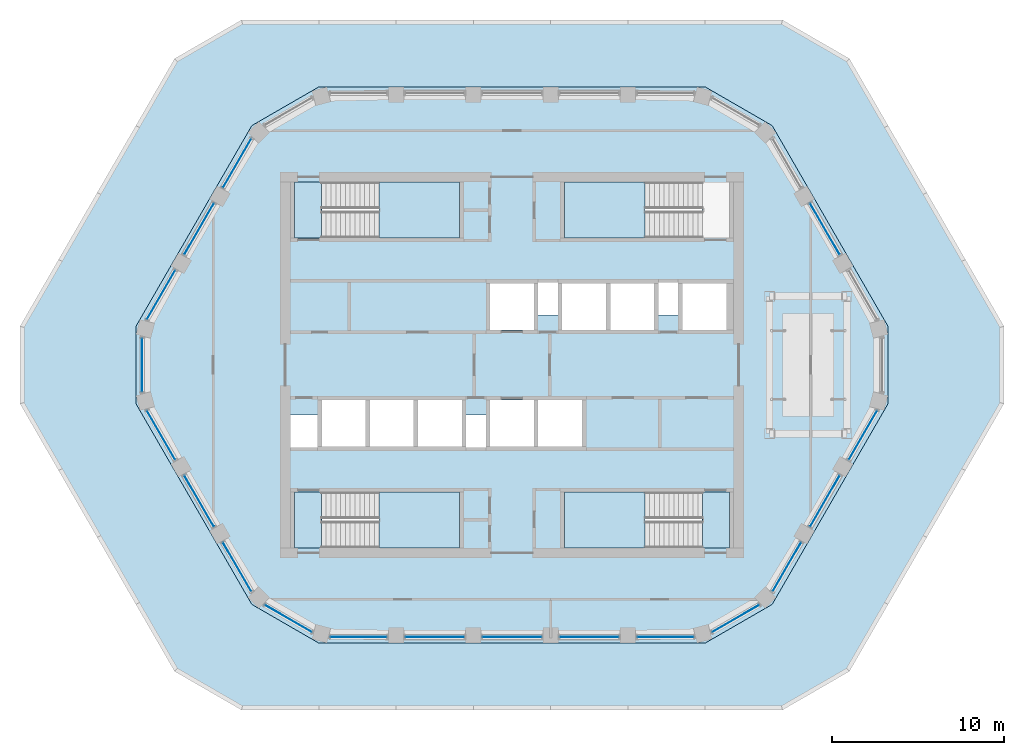
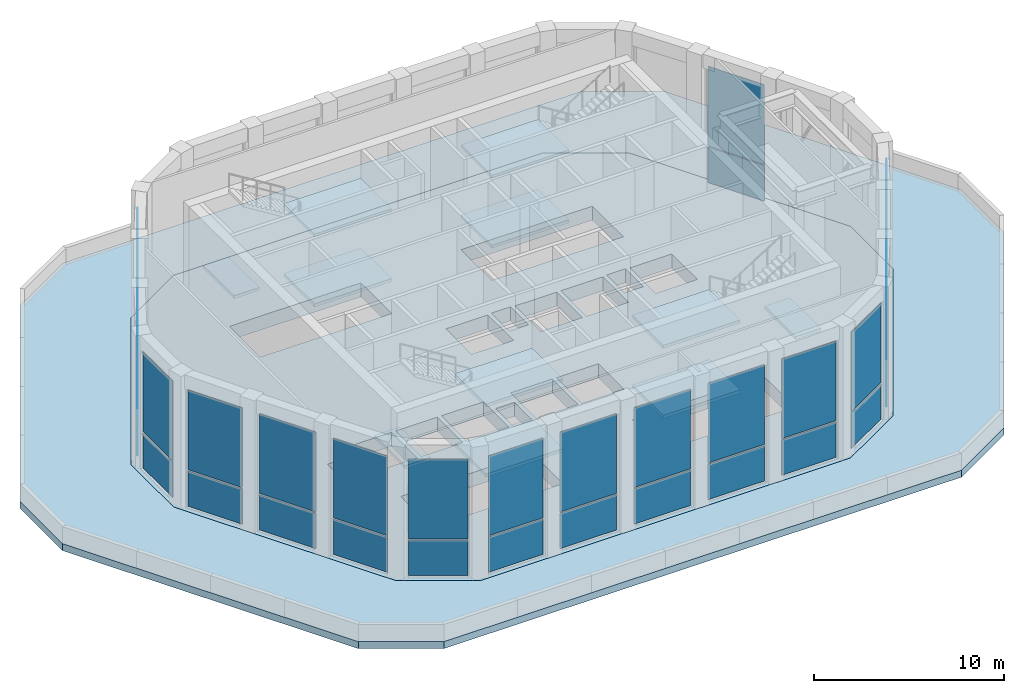
# One storey, part 4 of 11: 36 plates, 13 slabs, 22 elements without a shape of their own.
"""IFC4 building model written with IfcOpenShell, lengths in metres."""

from ifc_helpers import new_model, si_unit, direction, frame, origin, origin_2d, place, context, subcontext, project, spatial, polyline, rectangle, outline, extrude, material, layer, layer_set, type_object, element, aggregate, save


model = new_model("IFC4")

# Units and contexts
model_context = context("Model", 3, precision=1e-05, world=origin(), true_north=direction((0.0, 1.0)))
body_context = subcontext(model_context, "Body", "Model", "MODEL_VIEW")
ifc_project = project(units=[si_unit("LENGTHUNIT", "METRE"), si_unit("AREAUNIT", "SQUARE_METRE"), si_unit("VOLUMEUNIT", "CUBIC_METRE"), si_unit("PLANEANGLEUNIT", "RADIAN"), si_unit("MASSUNIT", "GRAM", prefix="KILO")], contexts=[model_context])

# Site, building, storey
site_placement = place(None, origin())
site = spatial("IfcSite", under=ifc_project, at=site_placement, CompositionType="ELEMENT")
building_placement = place(site_placement, origin())
building = spatial("IfcBuilding", under=site, at=building_placement, Name="Dhurran Vertical Campus", CompositionType="ELEMENT")
storey_placement = place(building_placement, frame((0.0, 0.0, 309.89990234375)))
storey = spatial("IfcBuildingStorey", under=building, at=storey_placement, Name="L77 Damper Plant", CompositionType="ELEMENT", Elevation=309.89990234375)

# Curtain wall, plates
ifc_material_1 = material(Name="Aluminium frame with solar-control glass", Category="aluminium")
ifc_layer_1 = layer(ifc_material_1, 0.300048828125)
ifc_layer_set_1 = layer_set([ifc_layer_1], Name="Aluminium frame with solar-control glass")
curtain_wall_type = type_object("IfcCurtainWallType", Name="Damper floor glazing system", PredefinedType="NOTDEFINED", material=ifc_layer_set_1)
curtain_wall_1_placement = place(storey_placement, origin())
curtain_wall_1 = element("IfcCurtainWall", 1, at=curtain_wall_1_placement, inside=storey, type_object=curtain_wall_type, Name="CW4 L77.00", PredefinedType="NOTDEFINED")
ifc_material_2 = material(Name="Clear solar-control glass", Category="glass")
ifc_layer_2 = layer(ifc_material_2, 0.028076171875)
ifc_layer_set_2 = layer_set([ifc_layer_2], Name="Clear solar-control glass")
plate_type = type_object("IfcPlateType", Name="Damper floor glazing system panel", PredefinedType="CURTAIN_PANEL", material=ifc_layer_set_2)
plate_1_placement = place(storey_placement, frame((-8.92529296875, -15.84130859375, 0.080078125), z_axis=(0.0, 0.0, 1.0), x_axis=(1.0, 0.0, 0.0)))
plate_1 = element("IfcPlate", 2, at=plate_1_placement, type_object=plate_type, Name="CW4 panel 1.1", PredefinedType="CURTAIN_PANEL", context=body_context, shape_type="SweptSolid", body=[
    extrude(rectangle(XDim=3.289306640625, YDim=0.028076171875, at=origin_2d()), origin(), (0.0, 0.0, 1.0), 2.280029296875),
])
plate_2_placement = place(storey_placement, frame((-8.92529296875, -15.84130859375, 2.440185546875), z_axis=(0.0, 0.0, 1.0), x_axis=(1.0, 0.0, 0.0)))
plate_2 = element("IfcPlate", 3, at=plate_2_placement, type_object=plate_type, Name="CW4 panel 1.2", PredefinedType="CURTAIN_PANEL", context=body_context, shape_type="SweptSolid", body=[
    extrude(rectangle(XDim=3.289306640625, YDim=0.028076171875, at=origin_2d()), origin(), (0.0, 0.0, 1.0), 5.1298828125),
])
aggregate(curtain_wall_1, [plate_1, plate_2])

curtain_wall_2_placement = place(storey_placement, origin())
curtain_wall_2 = element("IfcCurtainWall", 4, at=curtain_wall_2_placement, inside=storey, type_object=curtain_wall_type, Name="CW4 L77.01", PredefinedType="NOTDEFINED")
plate_3_placement = place(storey_placement, frame((-4.5, -15.84130859375, 0.080078125), z_axis=(0.0, 0.0, 1.0), x_axis=(1.0, 0.0, 0.0)))
plate_3 = element("IfcPlate", 5, at=plate_3_placement, type_object=plate_type, Name="CW4 panel 1.1", PredefinedType="CURTAIN_PANEL", context=body_context, shape_type="SweptSolid", body=[
    extrude(rectangle(XDim=3.43896484375, YDim=0.028076171875, at=origin_2d()), origin(), (0.0, 0.0, 1.0), 2.280029296875),
])
plate_4_placement = place(storey_placement, frame((-4.5, -15.84130859375, 2.440185546875), z_axis=(0.0, 0.0, 1.0), x_axis=(1.0, 0.0, 0.0)))
plate_4 = element("IfcPlate", 6, at=plate_4_placement, type_object=plate_type, Name="CW4 panel 1.2", PredefinedType="CURTAIN_PANEL", context=body_context, shape_type="SweptSolid", body=[
    extrude(rectangle(XDim=3.43896484375, YDim=0.028076171875, at=origin_2d()), origin(), (0.0, 0.0, 1.0), 5.1298828125),
])
aggregate(curtain_wall_2, [plate_3, plate_4])

curtain_wall_3_placement = place(storey_placement, origin())
curtain_wall_3 = element("IfcCurtainWall", 7, at=curtain_wall_3_placement, inside=storey, type_object=curtain_wall_type, Name="CW4 L77.02", PredefinedType="NOTDEFINED")
plate_5_placement = place(storey_placement, frame((0.0, -15.84130859375, 0.080078125), z_axis=(0.0, 0.0, 1.0), x_axis=(1.0, 0.0, 0.0)))
plate_5 = element("IfcPlate", 8, at=plate_5_placement, type_object=plate_type, Name="CW4 panel 1.1", PredefinedType="CURTAIN_PANEL", context=body_context, shape_type="SweptSolid", body=[
    extrude(rectangle(XDim=3.43896484375, YDim=0.028076171875, at=origin_2d()), origin(), (0.0, 0.0, 1.0), 2.280029296875),
])
plate_6_placement = place(storey_placement, frame((0.0, -15.84130859375, 2.440185546875), z_axis=(0.0, 0.0, 1.0), x_axis=(1.0, 0.0, 0.0)))
plate_6 = element("IfcPlate", 9, at=plate_6_placement, type_object=plate_type, Name="CW4 panel 1.2", PredefinedType="CURTAIN_PANEL", context=body_context, shape_type="SweptSolid", body=[
    extrude(rectangle(XDim=3.43896484375, YDim=0.028076171875, at=origin_2d()), origin(), (0.0, 0.0, 1.0), 5.1298828125),
])
aggregate(curtain_wall_3, [plate_5, plate_6])

curtain_wall_4_placement = place(storey_placement, origin())
curtain_wall_4 = element("IfcCurtainWall", 10, at=curtain_wall_4_placement, inside=storey, type_object=curtain_wall_type, Name="CW4 L77.03", PredefinedType="NOTDEFINED")
plate_7_placement = place(storey_placement, frame((4.5, -15.84130859375, 0.080078125), z_axis=(0.0, 0.0, 1.0), x_axis=(1.0, 0.0, 0.0)))
plate_7 = element("IfcPlate", 11, at=plate_7_placement, type_object=plate_type, Name="CW4 panel 1.1", PredefinedType="CURTAIN_PANEL", context=body_context, shape_type="SweptSolid", body=[
    extrude(rectangle(XDim=3.43896484375, YDim=0.028076171875, at=origin_2d()), origin(), (0.0, 0.0, 1.0), 2.280029296875),
])
plate_8_placement = place(storey_placement, frame((4.5, -15.84130859375, 2.440185546875), z_axis=(0.0, 0.0, 1.0), x_axis=(1.0, 0.0, 0.0)))
plate_8 = element("IfcPlate", 12, at=plate_8_placement, type_object=plate_type, Name="CW4 panel 1.2", PredefinedType="CURTAIN_PANEL", context=body_context, shape_type="SweptSolid", body=[
    extrude(rectangle(XDim=3.43896484375, YDim=0.028076171875, at=origin_2d()), origin(), (0.0, 0.0, 1.0), 5.1298828125),
])
aggregate(curtain_wall_4, [plate_7, plate_8])

curtain_wall_5_placement = place(storey_placement, origin())
curtain_wall_5 = element("IfcCurtainWall", 13, at=curtain_wall_5_placement, inside=storey, type_object=curtain_wall_type, Name="CW4 L77.04", PredefinedType="NOTDEFINED")
plate_9_placement = place(storey_placement, frame((8.92529296875, -15.84130859375, 0.080078125), z_axis=(0.0, 0.0, 1.0), x_axis=(1.0, 0.0, 0.0)))
plate_9 = element("IfcPlate", 14, at=plate_9_placement, type_object=plate_type, Name="CW4 panel 1.1", PredefinedType="CURTAIN_PANEL", context=body_context, shape_type="SweptSolid", body=[
    extrude(rectangle(XDim=3.289306640625, YDim=0.028076171875, at=origin_2d()), origin(), (0.0, 0.0, 1.0), 2.280029296875),
])
plate_10_placement = place(storey_placement, frame((8.92529296875, -15.84130859375, 2.440185546875), z_axis=(0.0, 0.0, 1.0), x_axis=(1.0, 0.0, 0.0)))
plate_10 = element("IfcPlate", 15, at=plate_10_placement, type_object=plate_type, Name="CW4 panel 1.2", PredefinedType="CURTAIN_PANEL", context=body_context, shape_type="SweptSolid", body=[
    extrude(rectangle(XDim=3.289306640625, YDim=0.028076171875, at=origin_2d()), origin(), (0.0, 0.0, 1.0), 5.1298828125),
])
aggregate(curtain_wall_5, [plate_9, plate_10])

curtain_wall_6_placement = place(storey_placement, origin())
curtain_wall_6 = element("IfcCurtainWall", 16, at=curtain_wall_6_placement, inside=storey, type_object=curtain_wall_type, Name="CW4 L77.05", PredefinedType="NOTDEFINED")
plate_11_placement = place(storey_placement, frame((13.0234375, -14.76318359375, 0.080078125), z_axis=(0.0, 0.0, 1.0), x_axis=(0.866024598628, 0.500001394569, 0.0)))
plate_11 = element("IfcPlate", 17, at=plate_11_placement, type_object=plate_type, Name="CW4 panel 1.1", PredefinedType="CURTAIN_PANEL", context=body_context, shape_type="SweptSolid", body=[
    extrude(rectangle(XDim=3.139892578125, YDim=0.028076171875, at=origin_2d()), origin(), (0.0, 0.0, 1.0), 2.280029296875),
])
plate_12_placement = place(storey_placement, frame((13.0234375, -14.76318359375, 2.440185546875), z_axis=(0.0, 0.0, 1.0), x_axis=(0.866024598628, 0.500001394569, 0.0)))
plate_12 = element("IfcPlate", 18, at=plate_12_placement, type_object=plate_type, Name="CW4 panel 1.2", PredefinedType="CURTAIN_PANEL", context=body_context, shape_type="SweptSolid", body=[
    extrude(rectangle(XDim=3.139892578125, YDim=0.028076171875, at=origin_2d()), origin(), (0.0, 0.0, 1.0), 5.1298828125),
])
aggregate(curtain_wall_6, [plate_11, plate_12])

curtain_wall_7_placement = place(storey_placement, origin())
curtain_wall_7 = element("IfcCurtainWall", 19, at=curtain_wall_7_placement, inside=storey, type_object=curtain_wall_type, Name="CW4 L77.06", PredefinedType="NOTDEFINED")
plate_13_placement = place(storey_placement, frame((16.00634765625, -11.7529296875, 0.080078125), z_axis=(0.0, 0.0, 1.0), x_axis=(0.500008539842, 0.866020473248, 0.0)))
plate_13 = element("IfcPlate", 20, at=plate_13_placement, type_object=plate_type, Name="CW4 panel 1.1", PredefinedType="CURTAIN_PANEL", context=body_context, shape_type="SweptSolid", body=[
    extrude(rectangle(XDim=3.289306640625, YDim=0.028076171875, at=origin_2d()), origin(), (0.0, 0.0, 1.0), 2.280029296875),
])
plate_14_placement = place(storey_placement, frame((16.00634765625, -11.7529296875, 2.440185546875), z_axis=(0.0, 0.0, 1.0), x_axis=(0.500008539842, 0.866020473248, 0.0)))
plate_14 = element("IfcPlate", 21, at=plate_14_placement, type_object=plate_type, Name="CW4 panel 1.2", PredefinedType="CURTAIN_PANEL", context=body_context, shape_type="SweptSolid", body=[
    extrude(rectangle(XDim=3.289306640625, YDim=0.028076171875, at=origin_2d()), origin(), (0.0, 0.0, 1.0), 5.1298828125),
])
aggregate(curtain_wall_7, [plate_13, plate_14])

curtain_wall_8_placement = place(storey_placement, origin())
curtain_wall_8 = element("IfcCurtainWall", 22, at=curtain_wall_8_placement, inside=storey, type_object=curtain_wall_type, Name="CW4 L77.07", PredefinedType="NOTDEFINED")
plate_15_placement = place(storey_placement, frame((18.218994140625, -7.920654296875, 0.080078125), z_axis=(0.0, 0.0, 1.0), x_axis=(0.500003059408, 0.866023637427, 0.0)))
plate_15 = element("IfcPlate", 23, at=plate_15_placement, type_object=plate_type, Name="CW4 panel 1.1", PredefinedType="CURTAIN_PANEL", context=body_context, shape_type="SweptSolid", body=[
    extrude(rectangle(XDim=3.43896484375, YDim=0.028076171875, at=origin_2d()), origin(), (0.0, 0.0, 1.0), 2.280029296875),
])
plate_16_placement = place(storey_placement, frame((18.218994140625, -7.920654296875, 2.440185546875), z_axis=(0.0, 0.0, 1.0), x_axis=(0.500003059408, 0.866023637427, 0.0)))
plate_16 = element("IfcPlate", 24, at=plate_16_placement, type_object=plate_type, Name="CW4 panel 1.2", PredefinedType="CURTAIN_PANEL", context=body_context, shape_type="SweptSolid", body=[
    extrude(rectangle(XDim=3.43896484375, YDim=0.028076171875, at=origin_2d()), origin(), (0.0, 0.0, 1.0), 5.1298828125),
])
aggregate(curtain_wall_8, [plate_15, plate_16])

curtain_wall_9_placement = place(storey_placement, origin())
curtain_wall_9 = element("IfcCurtainWall", 25, at=curtain_wall_9_placement, inside=storey, type_object=curtain_wall_type, Name="CW4 L77.08", PredefinedType="NOTDEFINED")
plate_17_placement = place(storey_placement, frame((20.431640625, -4.08837890625, 0.080078125), z_axis=(0.0, 0.0, 1.0), x_axis=(0.499995986465, 0.866027720988, 0.0)))
plate_17 = element("IfcPlate", 26, at=plate_17_placement, type_object=plate_type, Name="CW4 panel 1.1", PredefinedType="CURTAIN_PANEL", context=body_context, shape_type="SweptSolid", body=[
    extrude(rectangle(XDim=3.289306640625, YDim=0.028076171875, at=origin_2d()), origin(), (0.0, 0.0, 1.0), 2.280029296875),
])
plate_18_placement = place(storey_placement, frame((20.431640625, -4.08837890625, 2.440185546875), z_axis=(0.0, 0.0, 1.0), x_axis=(0.499995986465, 0.866027720988, 0.0)))
plate_18 = element("IfcPlate", 27, at=plate_18_placement, type_object=plate_type, Name="CW4 panel 1.2", PredefinedType="CURTAIN_PANEL", context=body_context, shape_type="SweptSolid", body=[
    extrude(rectangle(XDim=3.289306640625, YDim=0.028076171875, at=origin_2d()), origin(), (0.0, 0.0, 1.0), 5.1298828125),
])
aggregate(curtain_wall_9, [plate_17, plate_18])

curtain_wall_10_placement = place(storey_placement, origin())
curtain_wall_10 = element("IfcCurtainWall", 28, at=curtain_wall_10_placement, inside=storey, type_object=curtain_wall_type, Name="CW4 L77.11", PredefinedType="NOTDEFINED")
plate_19_placement = place(storey_placement, frame((18.218994140625, 7.920654296875, 0.080078125), z_axis=(0.0, 0.0, 1.0), x_axis=(-0.500003059408, 0.866023637427, 0.0)))
plate_19 = element("IfcPlate", 29, at=plate_19_placement, type_object=plate_type, Name="CW4 panel 1.1", PredefinedType="CURTAIN_PANEL", context=body_context, shape_type="SweptSolid", body=[
    extrude(rectangle(XDim=3.43896484375, YDim=0.028076171875, at=origin_2d()), origin(), (0.0, 0.0, 1.0), 2.280029296875),
])
plate_20_placement = place(storey_placement, frame((18.218994140625, 7.920654296875, 2.440185546875), z_axis=(0.0, 0.0, 1.0), x_axis=(-0.500003059408, 0.866023637427, 0.0)))
plate_20 = element("IfcPlate", 30, at=plate_20_placement, type_object=plate_type, Name="CW4 panel 1.2", PredefinedType="CURTAIN_PANEL", context=body_context, shape_type="SweptSolid", body=[
    extrude(rectangle(XDim=3.43896484375, YDim=0.028076171875, at=origin_2d()), origin(), (0.0, 0.0, 1.0), 5.1298828125),
])
aggregate(curtain_wall_10, [plate_19, plate_20])

curtain_wall_11_placement = place(storey_placement, origin())
curtain_wall_11 = element("IfcCurtainWall", 31, at=curtain_wall_11_placement, inside=storey, type_object=curtain_wall_type, Name="CW4 L77.20", PredefinedType="NOTDEFINED")
plate_21_placement = place(storey_placement, frame((-16.00634765625, 11.7529296875, 0.080078125), z_axis=(0.0, 0.0, 1.0), x_axis=(-0.500008539842, -0.866020473248, 0.0)))
plate_21 = element("IfcPlate", 32, at=plate_21_placement, type_object=plate_type, Name="CW4 panel 1.1", PredefinedType="CURTAIN_PANEL", context=body_context, shape_type="SweptSolid", body=[
    extrude(rectangle(XDim=3.289306640625, YDim=0.028076171875, at=origin_2d()), origin(), (0.0, 0.0, 1.0), 2.280029296875),
])
plate_22_placement = place(storey_placement, frame((-16.00634765625, 11.7529296875, 2.440185546875), z_axis=(0.0, 0.0, 1.0), x_axis=(-0.500008539842, -0.866020473248, 0.0)))
plate_22 = element("IfcPlate", 33, at=plate_22_placement, type_object=plate_type, Name="CW4 panel 1.2", PredefinedType="CURTAIN_PANEL", context=body_context, shape_type="SweptSolid", body=[
    extrude(rectangle(XDim=3.289306640625, YDim=0.028076171875, at=origin_2d()), origin(), (0.0, 0.0, 1.0), 5.1298828125),
])
aggregate(curtain_wall_11, [plate_21, plate_22])

curtain_wall_12_placement = place(storey_placement, origin())
curtain_wall_12 = element("IfcCurtainWall", 34, at=curtain_wall_12_placement, inside=storey, type_object=curtain_wall_type, Name="CW4 L77.21", PredefinedType="NOTDEFINED")
plate_23_placement = place(storey_placement, frame((-18.218994140625, 7.920654296875, 0.080078125), z_axis=(0.0, 0.0, 1.0), x_axis=(-0.500003059408, -0.866023637427, 0.0)))
plate_23 = element("IfcPlate", 35, at=plate_23_placement, type_object=plate_type, Name="CW4 panel 1.1", PredefinedType="CURTAIN_PANEL", context=body_context, shape_type="SweptSolid", body=[
    extrude(rectangle(XDim=3.43896484375, YDim=0.028076171875, at=origin_2d()), origin(), (0.0, 0.0, 1.0), 2.280029296875),
])
plate_24_placement = place(storey_placement, frame((-18.218994140625, 7.920654296875, 2.440185546875), z_axis=(0.0, 0.0, 1.0), x_axis=(-0.500003059408, -0.866023637427, 0.0)))
plate_24 = element("IfcPlate", 36, at=plate_24_placement, type_object=plate_type, Name="CW4 panel 1.2", PredefinedType="CURTAIN_PANEL", context=body_context, shape_type="SweptSolid", body=[
    extrude(rectangle(XDim=3.43896484375, YDim=0.028076171875, at=origin_2d()), origin(), (0.0, 0.0, 1.0), 5.1298828125),
])
aggregate(curtain_wall_12, [plate_23, plate_24])

curtain_wall_13_placement = place(storey_placement, origin())
curtain_wall_13 = element("IfcCurtainWall", 37, at=curtain_wall_13_placement, inside=storey, type_object=curtain_wall_type, Name="CW4 L77.22", PredefinedType="NOTDEFINED")
plate_25_placement = place(storey_placement, frame((-20.431640625, 4.08837890625, 0.080078125), z_axis=(0.0, 0.0, 1.0), x_axis=(-0.499995986465, -0.866027720988, 0.0)))
plate_25 = element("IfcPlate", 38, at=plate_25_placement, type_object=plate_type, Name="CW4 panel 1.1", PredefinedType="CURTAIN_PANEL", context=body_context, shape_type="SweptSolid", body=[
    extrude(rectangle(XDim=3.289306640625, YDim=0.028076171875, at=origin_2d()), origin(), (0.0, 0.0, 1.0), 2.280029296875),
])
plate_26_placement = place(storey_placement, frame((-20.431640625, 4.08837890625, 2.440185546875), z_axis=(0.0, 0.0, 1.0), x_axis=(-0.499995986465, -0.866027720988, 0.0)))
plate_26 = element("IfcPlate", 39, at=plate_26_placement, type_object=plate_type, Name="CW4 panel 1.2", PredefinedType="CURTAIN_PANEL", context=body_context, shape_type="SweptSolid", body=[
    extrude(rectangle(XDim=3.289306640625, YDim=0.028076171875, at=origin_2d()), origin(), (0.0, 0.0, 1.0), 5.1298828125),
])
aggregate(curtain_wall_13, [plate_25, plate_26])

curtain_wall_14_placement = place(storey_placement, origin())
curtain_wall_14 = element("IfcCurtainWall", 40, at=curtain_wall_14_placement, inside=storey, type_object=curtain_wall_type, Name="CW4 L77.23", PredefinedType="NOTDEFINED")
plate_27_placement = place(storey_placement, frame((-21.547119140625, 0.0, 0.080078125), z_axis=(0.0, 0.0, 1.0), x_axis=(0.0, -1.0, 0.0)))
plate_27 = element("IfcPlate", 41, at=plate_27_placement, type_object=plate_type, Name="CW4 panel 1.1", PredefinedType="CURTAIN_PANEL", context=body_context, shape_type="SweptSolid", body=[
    extrude(rectangle(XDim=3.139892578125, YDim=0.028076171875, at=origin_2d()), origin(), (0.0, 0.0, 1.0), 2.280029296875),
])
plate_28_placement = place(storey_placement, frame((-21.547119140625, 0.0, 2.440185546875), z_axis=(0.0, 0.0, 1.0), x_axis=(0.0, -1.0, 0.0)))
plate_28 = element("IfcPlate", 42, at=plate_28_placement, type_object=plate_type, Name="CW4 panel 1.2", PredefinedType="CURTAIN_PANEL", context=body_context, shape_type="SweptSolid", body=[
    extrude(rectangle(XDim=3.139892578125, YDim=0.028076171875, at=origin_2d()), origin(), (0.0, 0.0, 1.0), 5.1298828125),
])
aggregate(curtain_wall_14, [plate_27, plate_28])

curtain_wall_15_placement = place(storey_placement, origin())
curtain_wall_15 = element("IfcCurtainWall", 43, at=curtain_wall_15_placement, inside=storey, type_object=curtain_wall_type, Name="CW4 L77.24", PredefinedType="NOTDEFINED")
plate_29_placement = place(storey_placement, frame((-20.431640625, -4.08837890625, 0.080078125), z_axis=(0.0, 0.0, 1.0), x_axis=(0.499995986465, -0.866027720988, 0.0)))
plate_29 = element("IfcPlate", 44, at=plate_29_placement, type_object=plate_type, Name="CW4 panel 1.1", PredefinedType="CURTAIN_PANEL", context=body_context, shape_type="SweptSolid", body=[
    extrude(rectangle(XDim=3.289306640625, YDim=0.028076171875, at=origin_2d()), origin(), (0.0, 0.0, 1.0), 2.280029296875),
])
plate_30_placement = place(storey_placement, frame((-20.431640625, -4.08837890625, 2.440185546875), z_axis=(0.0, 0.0, 1.0), x_axis=(0.499995986465, -0.866027720988, 0.0)))
plate_30 = element("IfcPlate", 45, at=plate_30_placement, type_object=plate_type, Name="CW4 panel 1.2", PredefinedType="CURTAIN_PANEL", context=body_context, shape_type="SweptSolid", body=[
    extrude(rectangle(XDim=3.289306640625, YDim=0.028076171875, at=origin_2d()), origin(), (0.0, 0.0, 1.0), 5.1298828125),
])
aggregate(curtain_wall_15, [plate_29, plate_30])

curtain_wall_16_placement = place(storey_placement, origin())
curtain_wall_16 = element("IfcCurtainWall", 46, at=curtain_wall_16_placement, inside=storey, type_object=curtain_wall_type, Name="CW4 L77.25", PredefinedType="NOTDEFINED")
plate_31_placement = place(storey_placement, frame((-18.218994140625, -7.920654296875, 0.080078125), z_axis=(0.0, 0.0, 1.0), x_axis=(0.500003059408, -0.866023637427, 0.0)))
plate_31 = element("IfcPlate", 47, at=plate_31_placement, type_object=plate_type, Name="CW4 panel 1.1", PredefinedType="CURTAIN_PANEL", context=body_context, shape_type="SweptSolid", body=[
    extrude(rectangle(XDim=3.43896484375, YDim=0.028076171875, at=origin_2d()), origin(), (0.0, 0.0, 1.0), 2.280029296875),
])
plate_32_placement = place(storey_placement, frame((-18.218994140625, -7.920654296875, 2.440185546875), z_axis=(0.0, 0.0, 1.0), x_axis=(0.500003059408, -0.866023637427, 0.0)))
plate_32 = element("IfcPlate", 48, at=plate_32_placement, type_object=plate_type, Name="CW4 panel 1.2", PredefinedType="CURTAIN_PANEL", context=body_context, shape_type="SweptSolid", body=[
    extrude(rectangle(XDim=3.43896484375, YDim=0.028076171875, at=origin_2d()), origin(), (0.0, 0.0, 1.0), 5.1298828125),
])
aggregate(curtain_wall_16, [plate_31, plate_32])

curtain_wall_17_placement = place(storey_placement, origin())
curtain_wall_17 = element("IfcCurtainWall", 49, at=curtain_wall_17_placement, inside=storey, type_object=curtain_wall_type, Name="CW4 L77.26", PredefinedType="NOTDEFINED")
plate_33_placement = place(storey_placement, frame((-16.00634765625, -11.7529296875, 0.080078125), z_axis=(0.0, 0.0, 1.0), x_axis=(0.500008539842, -0.866020473248, 0.0)))
plate_33 = element("IfcPlate", 50, at=plate_33_placement, type_object=plate_type, Name="CW4 panel 1.1", PredefinedType="CURTAIN_PANEL", context=body_context, shape_type="SweptSolid", body=[
    extrude(rectangle(XDim=3.289306640625, YDim=0.028076171875, at=origin_2d()), origin(), (0.0, 0.0, 1.0), 2.280029296875),
])
plate_34_placement = place(storey_placement, frame((-16.00634765625, -11.7529296875, 2.440185546875), z_axis=(0.0, 0.0, 1.0), x_axis=(0.500008539842, -0.866020473248, 0.0)))
plate_34 = element("IfcPlate", 51, at=plate_34_placement, type_object=plate_type, Name="CW4 panel 1.2", PredefinedType="CURTAIN_PANEL", context=body_context, shape_type="SweptSolid", body=[
    extrude(rectangle(XDim=3.289306640625, YDim=0.028076171875, at=origin_2d()), origin(), (0.0, 0.0, 1.0), 5.1298828125),
])
aggregate(curtain_wall_17, [plate_33, plate_34])

curtain_wall_18_placement = place(storey_placement, origin())
curtain_wall_18 = element("IfcCurtainWall", 52, at=curtain_wall_18_placement, inside=storey, type_object=curtain_wall_type, Name="CW4 L77.27", PredefinedType="NOTDEFINED")
plate_35_placement = place(storey_placement, frame((-13.0234375, -14.76318359375, 0.080078125), z_axis=(0.0, 0.0, 1.0), x_axis=(0.866024598628, -0.500001394569, 0.0)))
plate_35 = element("IfcPlate", 53, at=plate_35_placement, type_object=plate_type, Name="CW4 panel 1.1", PredefinedType="CURTAIN_PANEL", context=body_context, shape_type="SweptSolid", body=[
    extrude(rectangle(XDim=3.139892578125, YDim=0.028076171875, at=origin_2d()), origin(), (0.0, 0.0, 1.0), 2.280029296875),
])
plate_36_placement = place(storey_placement, frame((-13.0234375, -14.76318359375, 2.440185546875), z_axis=(0.0, 0.0, 1.0), x_axis=(0.866024598628, -0.500001394569, 0.0)))
plate_36 = element("IfcPlate", 54, at=plate_36_placement, type_object=plate_type, Name="CW4 panel 1.2", PredefinedType="CURTAIN_PANEL", context=body_context, shape_type="SweptSolid", body=[
    extrude(rectangle(XDim=3.139892578125, YDim=0.028076171875, at=origin_2d()), origin(), (0.0, 0.0, 1.0), 5.1298828125),
])
aggregate(curtain_wall_18, [plate_35, plate_36])

# Stair, slabs
ifc_material_3 = material(Name="Concrete C40/50", Category="concrete")
stair_type = type_object("IfcStairType", Name="co-ST-CORE", PredefinedType="HALF_TURN_STAIR", material=ifc_material_3)
stair_1_placement = place(storey_placement, origin())
stair_1 = element("IfcStair", 55, at=stair_1_placement, inside=storey, type_object=stair_type, Name="L77 Damper Plant Protected exit stair ST1", PredefinedType="HALF_TURN_STAIR")
ifc_material_4 = material(Name="Concrete C40/50", Category="concrete")
ifc_layer_3 = layer(ifc_material_4, 0.199951171875)
ifc_layer_set_3 = layer_set([ifc_layer_3], Name="Concrete C40/50")
slab_type_1 = type_object("IfcSlabType", Name="co-SL-LANDING", PredefinedType="LANDING", material=ifc_layer_set_3)
slab_1_placement = place(storey_placement, frame((0.0, 0.0, 2.050048828125)))
slab_1 = element("IfcSlab", 56, at=slab_1_placement, type_object=slab_type_1, Name="ST1 landing 1", PredefinedType="LANDING", context=body_context, shape_type="SweptSolid", body=[
    extrude(outline(polyline([(-7.739990234375, 7.39990234375), (-3.050048828125, 7.39990234375), (-3.050048828125, 10.64990234375), (-7.739990234375, 10.64990234375), (-7.739990234375, 7.39990234375)])), origin(), (0.0, 0.0, 1.0), 0.199951171875),
])
slab_2_placement = place(storey_placement, frame((0.0, 0.0, 4.300048828125)))
slab_2 = element("IfcSlab", 57, at=slab_2_placement, type_object=slab_type_1, Name="ST1 landing 2", PredefinedType="LANDING", context=body_context, shape_type="SweptSolid", body=[
    extrude(outline(polyline([(-12.64990234375, 7.39990234375), (-11.10009765625, 7.39990234375), (-11.10009765625, 10.64990234375), (-12.64990234375, 10.64990234375), (-12.64990234375, 7.39990234375)])), origin(), (0.0, 0.0, 1.0), 0.199951171875),
])
slab_3_placement = place(storey_placement, frame((0.0, 0.0, 6.550048828125)))
slab_3 = element("IfcSlab", 58, at=slab_3_placement, type_object=slab_type_1, Name="ST1 landing 3", PredefinedType="LANDING", context=body_context, shape_type="SweptSolid", body=[
    extrude(outline(polyline([(-7.739990234375, 7.39990234375), (-3.050048828125, 7.39990234375), (-3.050048828125, 10.64990234375), (-7.739990234375, 10.64990234375), (-7.739990234375, 7.39990234375)])), origin(), (0.0, 0.0, 1.0), 0.199951171875),
])
aggregate(stair_1, [slab_1, slab_2, slab_3])

stair_2_placement = place(storey_placement, origin())
stair_2 = element("IfcStair", 59, at=stair_2_placement, inside=storey, type_object=stair_type, Name="L77 Damper Plant Protected exit stair ST2", PredefinedType="HALF_TURN_STAIR")
slab_4_placement = place(storey_placement, frame((0.0, 0.0, 2.050048828125)))
slab_4 = element("IfcSlab", 60, at=slab_4_placement, type_object=slab_type_1, Name="ST2 landing 1", PredefinedType="LANDING", context=body_context, shape_type="SweptSolid", body=[
    extrude(outline(polyline([(7.739990234375, 10.64990234375), (3.050048828125, 10.64990234375), (3.050048828125, 7.39990234375), (7.739990234375, 7.39990234375), (7.739990234375, 10.64990234375)])), origin(), (0.0, 0.0, 1.0), 0.199951171875),
])
slab_5_placement = place(storey_placement, frame((0.0, 0.0, 6.550048828125)))
slab_5 = element("IfcSlab", 61, at=slab_5_placement, type_object=slab_type_1, Name="ST2 landing 3", PredefinedType="LANDING", context=body_context, shape_type="SweptSolid", body=[
    extrude(outline(polyline([(7.739990234375, 10.64990234375), (3.050048828125, 10.64990234375), (3.050048828125, 7.39990234375), (7.739990234375, 7.39990234375), (7.739990234375, 10.64990234375)])), origin(), (0.0, 0.0, 1.0), 0.199951171875),
])
aggregate(stair_2, [slab_4, slab_5])

stair_3_placement = place(storey_placement, origin())
stair_3 = element("IfcStair", 62, at=stair_3_placement, inside=storey, type_object=stair_type, Name="L77 Damper Plant Protected exit stair ST3", PredefinedType="HALF_TURN_STAIR")
slab_6_placement = place(storey_placement, frame((0.0, 0.0, 2.050048828125)))
slab_6 = element("IfcSlab", 63, at=slab_6_placement, type_object=slab_type_1, Name="ST3 landing 1", PredefinedType="LANDING", context=body_context, shape_type="SweptSolid", body=[
    extrude(outline(polyline([(-7.739990234375, -10.64990234375), (-3.050048828125, -10.64990234375), (-3.050048828125, -7.39990234375), (-7.739990234375, -7.39990234375), (-7.739990234375, -10.64990234375)])), origin(), (0.0, 0.0, 1.0), 0.199951171875),
])
slab_7_placement = place(storey_placement, frame((0.0, 0.0, 4.300048828125)))
slab_7 = element("IfcSlab", 64, at=slab_7_placement, type_object=slab_type_1, Name="ST3 landing 2", PredefinedType="LANDING", context=body_context, shape_type="SweptSolid", body=[
    extrude(outline(polyline([(-12.64990234375, -10.64990234375), (-11.10009765625, -10.64990234375), (-11.10009765625, -7.39990234375), (-12.64990234375, -7.39990234375), (-12.64990234375, -10.64990234375)])), origin(), (0.0, 0.0, 1.0), 0.199951171875),
])
slab_8_placement = place(storey_placement, frame((0.0, 0.0, 6.550048828125)))
slab_8 = element("IfcSlab", 65, at=slab_8_placement, type_object=slab_type_1, Name="ST3 landing 3", PredefinedType="LANDING", context=body_context, shape_type="SweptSolid", body=[
    extrude(outline(polyline([(-7.739990234375, -10.64990234375), (-3.050048828125, -10.64990234375), (-3.050048828125, -7.39990234375), (-7.739990234375, -7.39990234375), (-7.739990234375, -10.64990234375)])), origin(), (0.0, 0.0, 1.0), 0.199951171875),
])
aggregate(stair_3, [slab_6, slab_7, slab_8])

stair_4_placement = place(storey_placement, origin())
stair_4 = element("IfcStair", 66, at=stair_4_placement, inside=storey, type_object=stair_type, Name="L77 Damper Plant Protected exit stair ST4", PredefinedType="HALF_TURN_STAIR")
slab_9_placement = place(storey_placement, frame((0.0, 0.0, 2.050048828125)))
slab_9 = element("IfcSlab", 67, at=slab_9_placement, type_object=slab_type_1, Name="ST4 landing 1", PredefinedType="LANDING", context=body_context, shape_type="SweptSolid", body=[
    extrude(outline(polyline([(7.739990234375, -7.39990234375), (3.050048828125, -7.39990234375), (3.050048828125, -10.64990234375), (7.739990234375, -10.64990234375), (7.739990234375, -7.39990234375)])), origin(), (0.0, 0.0, 1.0), 0.199951171875),
])
slab_10_placement = place(storey_placement, frame((0.0, 0.0, 4.300048828125)))
slab_10 = element("IfcSlab", 68, at=slab_10_placement, type_object=slab_type_1, Name="ST4 landing 2", PredefinedType="LANDING", context=body_context, shape_type="SweptSolid", body=[
    extrude(outline(polyline([(12.64990234375, -7.39990234375), (11.10009765625, -7.39990234375), (11.10009765625, -10.64990234375), (12.64990234375, -10.64990234375), (12.64990234375, -7.39990234375)])), origin(), (0.0, 0.0, 1.0), 0.199951171875),
])
slab_11_placement = place(storey_placement, frame((0.0, 0.0, 6.550048828125)))
slab_11 = element("IfcSlab", 69, at=slab_11_placement, type_object=slab_type_1, Name="ST4 landing 3", PredefinedType="LANDING", context=body_context, shape_type="SweptSolid", body=[
    extrude(outline(polyline([(7.739990234375, -7.39990234375), (3.050048828125, -7.39990234375), (3.050048828125, -10.64990234375), (7.739990234375, -10.64990234375), (7.739990234375, -7.39990234375)])), origin(), (0.0, 0.0, 1.0), 0.199951171875),
])
aggregate(stair_4, [slab_9, slab_10, slab_11])

# Slabs
ifc_material_5 = material(Name="Concrete C40/50", Category="concrete")
ifc_layer_4 = layer(ifc_material_5, 0.89990234375)
ifc_layer_set_4 = layer_set([ifc_layer_4], Name="Concrete C40/50")
slab_type_2 = type_object("IfcSlabType", Name="cr/slab/deck", PredefinedType="FLOOR", material=ifc_layer_set_4)
slab_12_placement = place(storey_placement, frame((0.0, 0.0, -0.89990234375)))
element("IfcSlab", 70, at=slab_12_placement, inside=storey, type_object=slab_type_2, Name="Crown slab L77", PredefinedType="FLOOR", context=body_context, shape_type="SweptSolid", body=[
    extrude(outline(polyline([(-11.25, -16.19091796875), (11.25, -16.19091796875), (15.14697265625, -13.94091796875), (21.89697265625, -2.25), (21.89697265625, 2.25), (15.14697265625, 13.94091796875), (11.25, 16.19091796875), (-11.25, 16.19091796875), (-15.14697265625, 13.94091796875), (-21.89697265625, 2.25), (-21.89697265625, -2.25), (-15.14697265625, -13.94091796875), (-11.25, -16.19091796875)]), holes=[polyline([(-1.27490234375, 4.75), (1.27490234375, 4.75), (1.27490234375, 2.050048828125), (-1.27490234375, 2.050048828125), (-1.27490234375, 4.75)]), polyline([(9.925048828125, 4.75), (12.47509765625, 4.75), (12.47509765625, 2.050048828125), (9.925048828125, 2.050048828125), (9.925048828125, 4.75)]), polyline([(-1.27490234375, -2.050048828125), (1.27490234375, -2.050048828125), (1.27490234375, -4.75), (-1.27490234375, -4.75), (-1.27490234375, -2.050048828125)]), polyline([(1.52490234375, -2.050048828125), (4.074951171875, -2.050048828125), (4.074951171875, -4.75), (1.52490234375, -4.75), (1.52490234375, -2.050048828125)]), polyline([(2.925048828125, 4.75), (5.47509765625, 4.75), (5.47509765625, 2.050048828125), (2.925048828125, 2.050048828125), (2.925048828125, 4.75)]), polyline([(5.72509765625, 4.75), (8.27490234375, 4.75), (8.27490234375, 2.050048828125), (5.72509765625, 2.050048828125), (5.72509765625, 4.75)]), polyline([(-11.074951171875, -2.050048828125), (-8.52490234375, -2.050048828125), (-8.52490234375, -4.75), (-11.074951171875, -4.75), (-11.074951171875, -2.050048828125)]), polyline([(-8.27490234375, -2.050048828125), (-5.72509765625, -2.050048828125), (-5.72509765625, -4.75), (-8.27490234375, -4.75), (-8.27490234375, -2.050048828125)]), polyline([(-5.47509765625, -2.050048828125), (-2.925048828125, -2.050048828125), (-2.925048828125, -4.75), (-5.47509765625, -4.75), (-5.47509765625, -2.050048828125)]), polyline([(-11.050048828125, 10.64990234375), (-3.050048828125, 10.64990234375), (-3.050048828125, 7.39990234375), (-11.050048828125, 7.39990234375), (-11.050048828125, 10.64990234375)]), polyline([(3.050048828125, 10.64990234375), (11.050048828125, 10.64990234375), (11.050048828125, 7.39990234375), (3.050048828125, 7.39990234375), (3.050048828125, 10.64990234375)]), polyline([(-11.050048828125, -7.39990234375), (-3.050048828125, -7.39990234375), (-3.050048828125, -10.64990234375), (-11.050048828125, -10.64990234375), (-11.050048828125, -7.39990234375)]), polyline([(3.050048828125, -7.39990234375), (11.050048828125, -7.39990234375), (11.050048828125, -10.64990234375), (3.050048828125, -10.64990234375), (3.050048828125, -7.39990234375)]), polyline([(2.675048828125, 2.89990234375), (1.52490234375, 2.89990234375), (1.52490234375, 4.800048828125), (2.675048828125, 4.800048828125), (2.675048828125, 2.89990234375)]), polyline([(-12.89990234375, -2.89990234375), (-11.324951171875, -2.89990234375), (-11.324951171875, -4.800048828125), (-12.89990234375, -4.800048828125), (-12.89990234375, -2.89990234375)]), polyline([(-2.675048828125, -2.89990234375), (-1.52490234375, -2.89990234375), (-1.52490234375, -4.800048828125), (-2.675048828125, -4.800048828125), (-2.675048828125, -2.89990234375)]), polyline([(9.675048828125, 2.89990234375), (8.52490234375, 2.89990234375), (8.52490234375, 4.800048828125), (9.675048828125, 4.800048828125), (9.675048828125, 2.89990234375)])]), origin(), (0.0, 0.0, 1.0), 0.89990234375),
])
ifc_material_6 = material(Name="Concrete C40/50", Category="concrete")
ifc_layer_5 = layer(ifc_material_6, 0.449951171875)
ifc_layer_set_5 = layer_set([ifc_layer_5], Name="Concrete C40/50")
slab_type_3 = type_object("IfcSlabType", Name="cr/slab/strip", PredefinedType="ROOF", material=ifc_layer_set_5)
slab_13_placement = place(storey_placement, frame((0.0, 0.0, -0.449951171875)))
element("IfcSlab", 71, at=slab_13_placement, inside=storey, type_object=slab_type_3, Name="Crown roof strip L77", PredefinedType="ROOF", context=body_context, shape_type="SweptSolid", body=[
    extrude(outline(polyline([(-19.64697265625, -17.837890625), (-15.75, -20.087890625), (15.75, -20.087890625), (19.64697265625, -17.837890625), (28.64697265625, -2.25), (28.64697265625, 2.25), (19.64697265625, 17.837890625), (15.75, 20.087890625), (-15.75, 20.087890625), (-19.64697265625, 17.837890625), (-28.64697265625, 2.25), (-28.64697265625, -2.25), (-19.64697265625, -17.837890625)]), holes=[polyline([(11.25, -16.19091796875), (15.14697265625, -13.94091796875), (21.89697265625, -2.25), (21.89697265625, 2.25), (15.14697265625, 13.94091796875), (11.25, 16.19091796875), (-11.25, 16.19091796875), (-15.14697265625, 13.94091796875), (-21.89697265625, 2.25), (-21.89697265625, -2.25), (-15.14697265625, -13.94091796875), (-11.25, -16.19091796875), (11.25, -16.19091796875)])]), origin(), (0.0, 0.0, 1.0), 0.449951171875),
])

save(model, "model.ifc")
